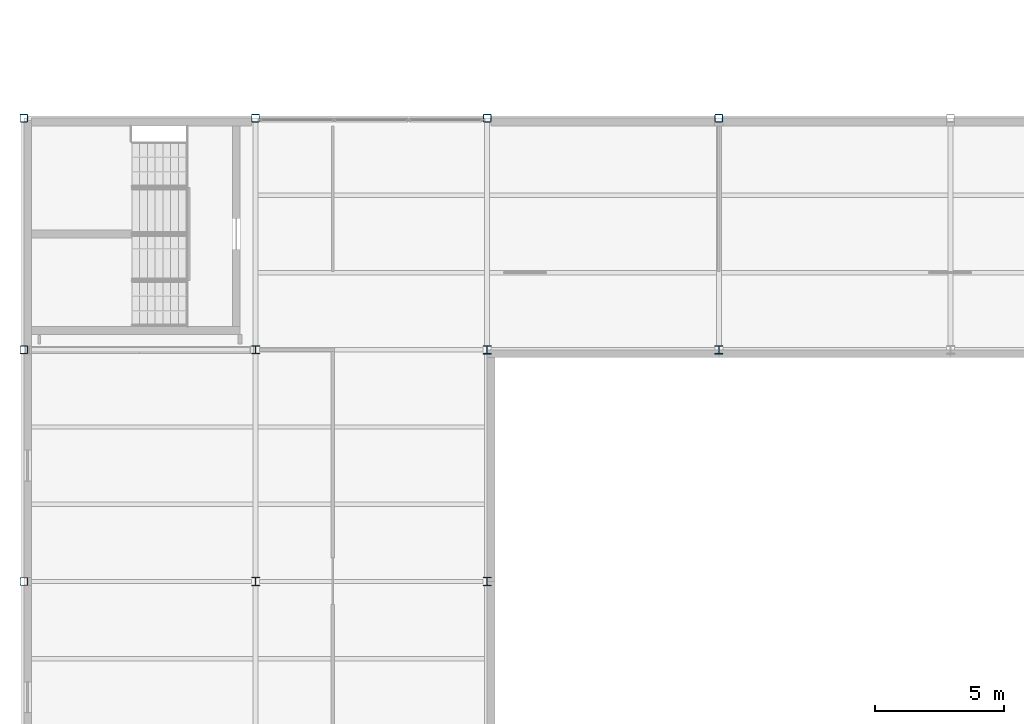
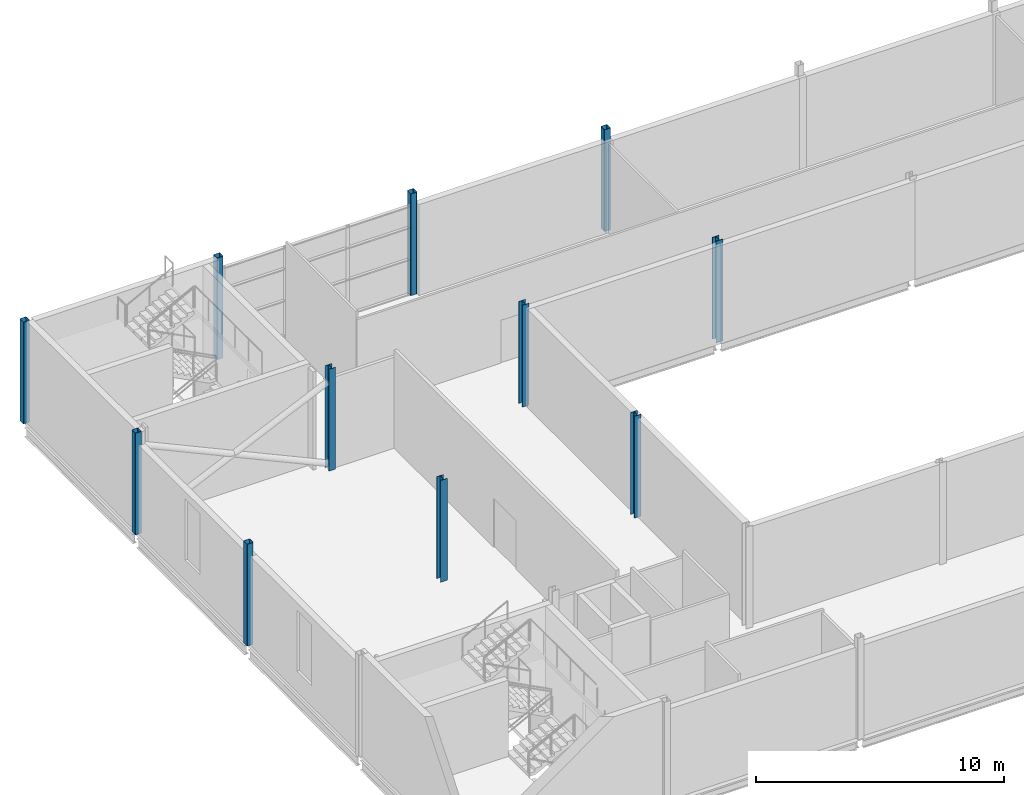
# One storey, part 8 of 112: 11 columns.
"""IFC4 building model written with IfcOpenShell, lengths in metres."""

from ifc_helpers import new_model, si_unit, direction, frame, origin, origin_2d, place, context, subcontext, project, spatial, hollow_rectangle, i_section, extrude, material, material_profile, profile_set, type_object, element, save


model = new_model("IFC4")

# Units and contexts
model_context = context("Model", 3, precision=1e-05, world=origin(), true_north=direction((0.0, 1.0)))
body_context = subcontext(model_context, "Body", "Model", "MODEL_VIEW")
ifc_project = project(units=[si_unit("LENGTHUNIT", "METRE"), si_unit("AREAUNIT", "SQUARE_METRE"), si_unit("VOLUMEUNIT", "CUBIC_METRE"), si_unit("PLANEANGLEUNIT", "RADIAN"), si_unit("MASSUNIT", "GRAM", prefix="KILO")], contexts=[model_context])

# Site, building, storey
site_placement = place(None, origin())
site = spatial("IfcSite", under=ifc_project, at=site_placement, CompositionType="ELEMENT")
building_placement = place(site_placement, origin())
building = spatial("IfcBuilding", under=site, at=building_placement, Name="Shorebreak Coast Museum", CompositionType="ELEMENT")
storey_placement = place(building_placement, frame((0.0, 0.0, 6.0)))
storey = spatial("IfcBuildingStorey", under=building, at=storey_placement, Name="L01", CompositionType="ELEMENT", Elevation=6.0)

# Columns
ifc_material_1 = material(Name="Steel Grade C450L0", Category="steel")
ifc_material_profile_1 = material_profile(ifc_material_1, hollow_rectangle(XDim=0.300048828125, YDim=0.300048828125, WallThickness=0.012451171875, InnerFilletRadius=0.018798828125, OuterFilletRadius=0.03125, at=origin_2d()), Name="300x300x12.5 SHS")
ifc_profile_set_1 = profile_set([ifc_material_profile_1], Name="Steel Grade C450L0")
column_type_1 = type_object("IfcColumnType", Name="Column 300x300x12.5 SHS", PredefinedType="COLUMN", material=ifc_profile_set_1)
for number, where, z_axis, x_axis, name in (
    (1, (0.0, 72.0, 0.0), (0.0, 0.0, 1.0), (1.0, 0.0, 0.0), "Column L01 1J"),
    (2, (0.0, 81.0, 0.0), (0.0, 0.0, 1.0), (1.0, 0.0, 0.0), "Column L01 1K"),
    (3, (0.0, 90.0, 0.0), (0.0, 0.0, 1.0), (1.0, 0.0, 0.0), "Column L01 1L"),
    (4, (9.0, 90.0, 0.0), (0.0, 0.0, 1.0), (1.0, 0.0, 0.0), "Column L01 2L"),
    (5, (18.0, 90.0, 0.0), (0.0, 0.0, 1.0), (1.0, 0.0, 0.0), "Column L01 3L"),
    (6, (27.0, 90.0, 0.0), (0.0, 0.0, 1.0), (1.0, 0.0, 0.0), "Column L01 4L"),
):
    element("IfcColumn", number, at=place(storey_placement, frame(where, z_axis=z_axis, x_axis=x_axis)), inside=storey, type_object=column_type_1, Name=name, PredefinedType="COLUMN", context=body_context, shape_type="SweptSolid", body=[
        extrude(hollow_rectangle(XDim=0.300048828125, YDim=0.300048828125, WallThickness=0.012451171875, InnerFilletRadius=0.018798828125, OuterFilletRadius=0.03125, at=origin_2d()), origin(), (0.0, 0.0, 1.0), 5.0),
    ])
ifc_material_2 = material(Name="Steel Grade 300", Category="steel")
ifc_material_profile_2 = material_profile(ifc_material_2, i_section(OverallWidth=0.30908203125, OverallDepth=0.320556640625, WebThickness=0.013916015625, FlangeThickness=0.021728515625, FilletRadius=0.0166015625, at=origin_2d()), Name="310UC137")
ifc_profile_set_2 = profile_set([ifc_material_profile_2], Name="Steel Grade 300")
column_type_2 = type_object("IfcColumnType", Name="Column 310UC137", PredefinedType="COLUMN", material=ifc_profile_set_2)
for number, where, z_axis, x_axis, name in (
    (7, (9.0, 72.0, 0.0), (0.0, 0.0, 1.0), (1.0, 0.0, 0.0), "Column L01 2J"),
    (8, (9.0, 81.0, 0.0), (0.0, 0.0, 1.0), (1.0, 0.0, 0.0), "Column L01 2K"),
):
    element("IfcColumn", number, at=place(storey_placement, frame(where, z_axis=z_axis, x_axis=x_axis)), inside=storey, type_object=column_type_2, Name=name, PredefinedType="COLUMN", context=body_context, shape_type="SweptSolid", body=[
        extrude(i_section(OverallWidth=0.30908203125, OverallDepth=0.320556640625, WebThickness=0.013916015625, FlangeThickness=0.021728515625, FilletRadius=0.0166015625, at=origin_2d()), origin(), (0.0, 0.0, 1.0), 5.0),
    ])
ifc_material_3 = material(Name="Steel Grade 300", Category="steel")
ifc_material_profile_3 = material_profile(ifc_material_3, i_section(OverallWidth=0.31103515625, OverallDepth=0.3271484375, WebThickness=0.015625, FlangeThickness=0.02490234375, FilletRadius=0.0166015625, at=origin_2d()), Name="310UC158")
ifc_profile_set_3 = profile_set([ifc_material_profile_3], Name="Steel Grade 300")
column_type_3 = type_object("IfcColumnType", Name="Column 310UC158", PredefinedType="COLUMN", material=ifc_profile_set_3)
for number, where, z_axis, x_axis, name in (
    (9, (18.0, 72.0, 0.0), (0.0, 0.0, 1.0), (1.0, 0.0, 0.0), "Column L01 3J"),
    (10, (18.0, 81.0, 0.0), (0.0, 0.0, 1.0), (1.0, 0.0, 0.0), "Column L01 3K"),
    (11, (27.0, 81.0, 0.0), (0.0, 0.0, 1.0), (1.0, 0.0, 0.0), "Column L01 4K"),
):
    element("IfcColumn", number, at=place(storey_placement, frame(where, z_axis=z_axis, x_axis=x_axis)), inside=storey, type_object=column_type_3, Name=name, PredefinedType="COLUMN", context=body_context, shape_type="SweptSolid", body=[
        extrude(i_section(OverallWidth=0.31103515625, OverallDepth=0.3271484375, WebThickness=0.015625, FlangeThickness=0.02490234375, FilletRadius=0.0166015625, at=origin_2d()), origin(), (0.0, 0.0, 1.0), 5.0),
    ])

save(model, "model.ifc")
